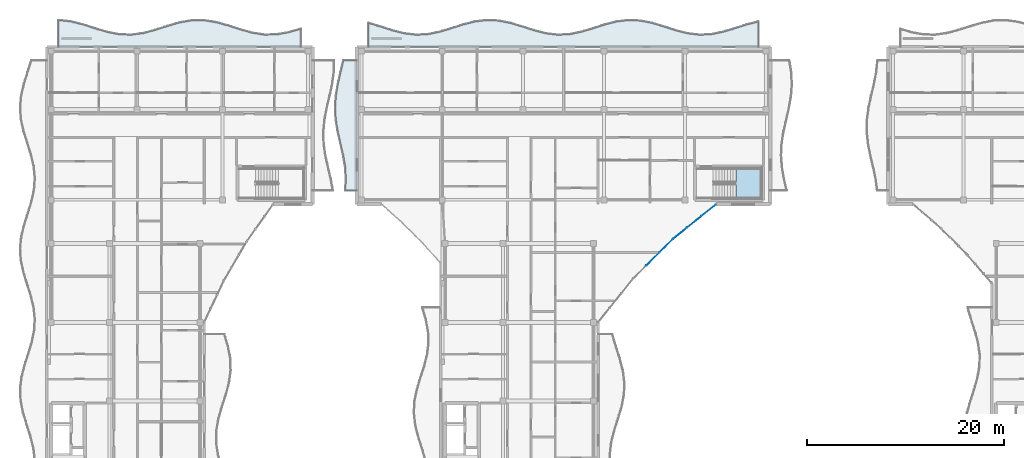
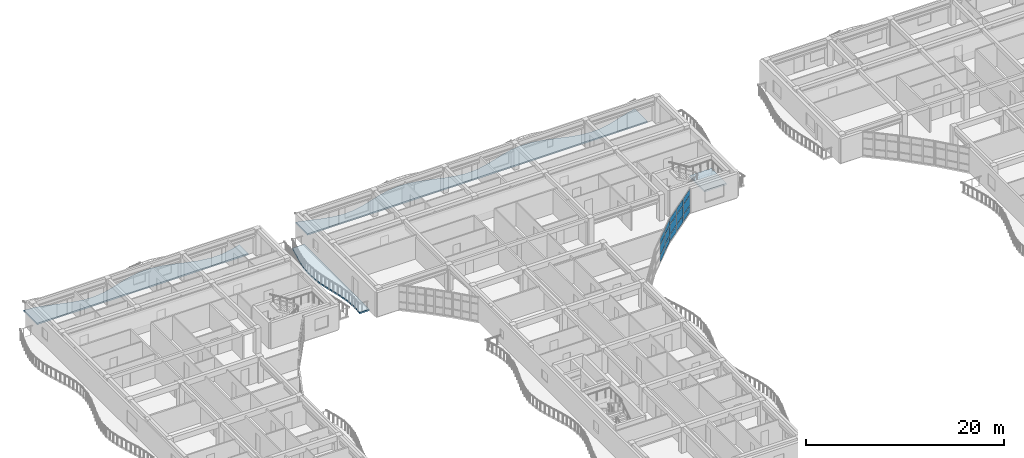
# One storey, part 32 of 79: 15 plates, 4 slabs, 3 elements without a shape of their own.
"""IFC4 building model written with IfcOpenShell, lengths in metres."""

from ifc_helpers import new_model, si_unit, direction, frame, origin, origin_2d, place, context, subcontext, project, spatial, polyline, rectangle, outline, extrude, material, layer, layer_set, type_object, element, aggregate, save


model = new_model("IFC4")

# Units and contexts
model_context = context("Model", 3, precision=1e-05, world=origin(), true_north=direction((0.0, 1.0)))
body_context = subcontext(model_context, "Body", "Model", "MODEL_VIEW")
ifc_project = project(units=[si_unit("LENGTHUNIT", "METRE"), si_unit("AREAUNIT", "SQUARE_METRE"), si_unit("VOLUMEUNIT", "CUBIC_METRE"), si_unit("PLANEANGLEUNIT", "RADIAN"), si_unit("MASSUNIT", "GRAM", prefix="KILO")], contexts=[model_context])

# Site, building, storey
site_placement = place(None, origin())
site = spatial("IfcSite", under=ifc_project, at=site_placement, CompositionType="ELEMENT")
building_placement = place(site_placement, origin())
building = spatial("IfcBuilding", under=site, at=building_placement, Name="Keldmere Railside Commons", CompositionType="ELEMENT")
storey_placement = place(building_placement, frame((0.0, 0.0, 10.56005859375)))
storey = spatial("IfcBuildingStorey", under=building, at=storey_placement, Name="L03", CompositionType="ELEMENT", Elevation=10.56005859375)

# Curtain wall, plates
ifc_material_1 = material(Name="Thermally Broken Aluminium", Category="aluminium")
ifc_layer_1 = layer(ifc_material_1, 0.159912109375, Name="Court Chord Wintergarden CW 5400x2850")
ifc_layer_set_1 = layer_set([ifc_layer_1], Name="Thermally Broken Aluminium")
curtain_wall_type_1 = type_object("IfcCurtainWallType", Name="Court Chord Wintergarden CW 5400x2850", PredefinedType="NOTDEFINED", material=ifc_layer_set_1)
curtain_wall_1_placement = place(storey_placement, origin())
curtain_wall_1 = element("IfcCurtainWall", 1, at=curtain_wall_1_placement, inside=storey, type_object=curtain_wall_type_1, Name="CW-13 CW-L03-044", PredefinedType="NOTDEFINED")
ifc_material_2 = material(Name="Low-E Insulated Double Glazing", Category="glass")
ifc_layer_2 = layer(ifc_material_2, 0.031982421875, Name="Clerestory Solar-Control Vision Panel 32")
ifc_layer_set_2 = layer_set([ifc_layer_2], Name="Low-E Insulated Double Glazing")
plate_type_1 = type_object("IfcPlateType", Name="Clerestory Solar-Control Vision Panel 32", PredefinedType="CURTAIN_PANEL", material=ifc_layer_set_2)
plate_1_placement = place(storey_placement, frame((70.88916015625, 95.76513671875, 0.06494140625), z_axis=(0.0, 0.0, 1.0), x_axis=(-0.707106781187, -0.707106781187, 0.0)))
plate_1 = element("IfcPlate", 2, at=plate_1_placement, type_object=plate_type_1, Name="CW-13 panel 1.1", PredefinedType="CURTAIN_PANEL", context=body_context, shape_type="SweptSolid", body=[
    extrude(rectangle(XDim=1.795654296875, YDim=0.031982421875, at=origin_2d()), origin(), (0.0, 0.0, 1.0), 0.802490234375),
])
plate_2_placement = place(storey_placement, frame((70.88916015625, 95.76513671875, 0.932373046875), z_axis=(0.0, 0.0, 1.0), x_axis=(-0.707106781187, -0.707106781187, 0.0)))
plate_2 = element("IfcPlate", 3, at=plate_2_placement, type_object=plate_type_1, Name="CW-13 panel 1.2", PredefinedType="CURTAIN_PANEL", context=body_context, shape_type="SweptSolid", body=[
    extrude(rectangle(XDim=1.795654296875, YDim=0.031982421875, at=origin_2d()), origin(), (0.0, 0.0, 1.0), 1.18505859375),
])
plate_3_placement = place(storey_placement, frame((70.88916015625, 95.76513671875, 2.182373046875), z_axis=(0.0, 0.0, 1.0), x_axis=(-0.707106781187, -0.707106781187, 0.0)))
plate_3 = element("IfcPlate", 4, at=plate_3_placement, type_object=plate_type_1, Name="CW-13 panel 1.3", PredefinedType="CURTAIN_PANEL", context=body_context, shape_type="SweptSolid", body=[
    extrude(rectangle(XDim=1.795654296875, YDim=0.031982421875, at=origin_2d()), origin(), (0.0, 0.0, 1.0), 0.732421875),
])
plate_4_placement = place(storey_placement, frame((69.56201171875, 94.43798828125, 0.06494140625), z_axis=(0.0, 0.0, 1.0), x_axis=(-0.707106781187, -0.707106781187, 0.0)))
plate_4 = element("IfcPlate", 5, at=plate_4_placement, type_object=plate_type_1, Name="CW-13 panel 2.1", PredefinedType="CURTAIN_PANEL", context=body_context, shape_type="SweptSolid", body=[
    extrude(rectangle(XDim=1.828125, YDim=0.031982421875, at=origin_2d()), origin(), (0.0, 0.0, 1.0), 0.802490234375),
])
plate_5_placement = place(storey_placement, frame((69.56201171875, 94.43798828125, 0.932373046875), z_axis=(0.0, 0.0, 1.0), x_axis=(-0.707106781187, -0.707106781187, 0.0)))
plate_5 = element("IfcPlate", 6, at=plate_5_placement, type_object=plate_type_1, Name="CW-13 panel 2.2", PredefinedType="CURTAIN_PANEL", context=body_context, shape_type="SweptSolid", body=[
    extrude(rectangle(XDim=1.828125, YDim=0.031982421875, at=origin_2d()), origin(), (0.0, 0.0, 1.0), 1.18505859375),
])
plate_6_placement = place(storey_placement, frame((69.56201171875, 94.43798828125, 2.182373046875), z_axis=(0.0, 0.0, 1.0), x_axis=(-0.707106781187, -0.707106781187, 0.0)))
plate_6 = element("IfcPlate", 7, at=plate_6_placement, type_object=plate_type_1, Name="CW-13 panel 2.3", PredefinedType="CURTAIN_PANEL", context=body_context, shape_type="SweptSolid", body=[
    extrude(rectangle(XDim=1.828125, YDim=0.031982421875, at=origin_2d()), origin(), (0.0, 0.0, 1.0), 0.732421875),
])
aggregate(curtain_wall_1, [plate_1, plate_2, plate_3, plate_4, plate_5, plate_6])

# Stair, slab
ifc_material_3 = material(Name="Concrete H-30 (C30/37)", Category="concrete")
stair_type = type_object("IfcStairType", Name="Residential Core Dogleg Stair 1450", PredefinedType="HALF_TURN_STAIR", material=ifc_material_3)
stair_placement = place(storey_placement, origin())
stair = element("IfcStair", 8, at=stair_placement, inside=storey, type_object=stair_type, Name="L03 Block C Secondary Escape Stair 2", PredefinedType="HALF_TURN_STAIR")
ifc_layer_3 = layer(ifc_material_3, 0.199951171875, Name="Enclosed Stair Landing Slab 200")
ifc_layer_set_3 = layer_set([ifc_layer_3], Name="Concrete H-30 (C30/37)")
slab_type_1 = type_object("IfcSlabType", Name="Enclosed Stair Landing Slab 200", PredefinedType="LANDING", material=ifc_layer_set_3)
slab_1_placement = place(storey_placement, frame((0.0, 0.0, 1.39990234375)))
slab_1 = element("IfcSlab", 9, at=slab_1_placement, type_object=slab_type_1, Name="ST-C2 landing 1", PredefinedType="LANDING", context=body_context, shape_type="SweptSolid", body=[
    extrude(outline(polyline([(78.02001953125, 100.60009765625), (80.60009765625, 100.60009765625), (80.60009765625, 103.64990234375), (78.02001953125, 103.64990234375), (78.02001953125, 100.60009765625)])), origin(), (0.0, 0.0, 1.0), 0.199951171875),
])
aggregate(stair, [slab_1])

# Curtain wall, plates
ifc_layer_4 = layer(ifc_material_1, 0.159912109375, Name="Court Chord Wintergarden CW 4800x2850")
ifc_layer_set_4 = layer_set([ifc_layer_4], Name="Thermally Broken Aluminium")
curtain_wall_type_2 = type_object("IfcCurtainWallType", Name="Court Chord Wintergarden CW 4800x2850", PredefinedType="NOTDEFINED", material=ifc_layer_set_4)
curtain_wall_2_placement = place(storey_placement, origin())
curtain_wall_2 = element("IfcCurtainWall", 10, at=curtain_wall_2_placement, inside=storey, type_object=curtain_wall_type_2, Name="CW-12 CW-L03-045", PredefinedType="NOTDEFINED")
ifc_layer_5 = layer(ifc_material_2, 0.028076171875, Name="Low-E Vision Glazing Panel 28")
ifc_layer_set_5 = layer_set([ifc_layer_5], Name="Low-E Insulated Double Glazing")
plate_type_2 = type_object("IfcPlateType", Name="Low-E Vision Glazing Panel 28", PredefinedType="CURTAIN_PANEL", material=ifc_layer_set_5)
plate_7_placement = place(storey_placement, frame((75.2490234375, 99.3974609375, 0.06494140625), z_axis=(0.0, 0.0, 1.0), x_axis=(-0.780009172323, -0.625768080915, 0.0)))
plate_7 = element("IfcPlate", 11, at=plate_7_placement, type_object=plate_type_2, Name="CW-12 panel 1.1", PredefinedType="CURTAIN_PANEL", context=body_context, shape_type="SweptSolid", body=[
    extrude(rectangle(XDim=1.795654296875, YDim=0.028076171875, at=origin_2d()), origin(), (0.0, 0.0, 1.0), 0.802490234375),
])
plate_8_placement = place(storey_placement, frame((75.2490234375, 99.3974609375, 0.932373046875), z_axis=(0.0, 0.0, 1.0), x_axis=(-0.780009172323, -0.625768080915, 0.0)))
plate_8 = element("IfcPlate", 12, at=plate_8_placement, type_object=plate_type_2, Name="CW-12 panel 1.2", PredefinedType="CURTAIN_PANEL", context=body_context, shape_type="SweptSolid", body=[
    extrude(rectangle(XDim=1.795654296875, YDim=0.028076171875, at=origin_2d()), origin(), (0.0, 0.0, 1.0), 1.18505859375),
])
plate_9_placement = place(storey_placement, frame((75.2490234375, 99.3974609375, 2.182373046875), z_axis=(0.0, 0.0, 1.0), x_axis=(-0.780009172323, -0.625768080915, 0.0)))
plate_9 = element("IfcPlate", 13, at=plate_9_placement, type_object=plate_type_2, Name="CW-12 panel 1.3", PredefinedType="CURTAIN_PANEL", context=body_context, shape_type="SweptSolid", body=[
    extrude(rectangle(XDim=1.795654296875, YDim=0.028076171875, at=origin_2d()), origin(), (0.0, 0.0, 1.0), 0.732421875),
])
plate_10_placement = place(storey_placement, frame((73.784912109375, 98.222900390625, 0.06494140625), z_axis=(0.0, 0.0, 1.0), x_axis=(-0.780009172323, -0.625768080915, 0.0)))
plate_10 = element("IfcPlate", 14, at=plate_10_placement, type_object=plate_type_2, Name="CW-12 panel 2.1", PredefinedType="CURTAIN_PANEL", context=body_context, shape_type="SweptSolid", body=[
    extrude(rectangle(XDim=1.828125, YDim=0.028076171875, at=origin_2d()), origin(), (0.0, 0.0, 1.0), 0.802490234375),
])
plate_11_placement = place(storey_placement, frame((73.784912109375, 98.222900390625, 0.932373046875), z_axis=(0.0, 0.0, 1.0), x_axis=(-0.780009172323, -0.625768080915, 0.0)))
plate_11 = element("IfcPlate", 15, at=plate_11_placement, type_object=plate_type_2, Name="CW-12 panel 2.2", PredefinedType="CURTAIN_PANEL", context=body_context, shape_type="SweptSolid", body=[
    extrude(rectangle(XDim=1.828125, YDim=0.028076171875, at=origin_2d()), origin(), (0.0, 0.0, 1.0), 1.18505859375),
])
plate_12_placement = place(storey_placement, frame((73.784912109375, 98.222900390625, 2.182373046875), z_axis=(0.0, 0.0, 1.0), x_axis=(-0.780009172323, -0.625768080915, 0.0)))
plate_12 = element("IfcPlate", 16, at=plate_12_placement, type_object=plate_type_2, Name="CW-12 panel 2.3", PredefinedType="CURTAIN_PANEL", context=body_context, shape_type="SweptSolid", body=[
    extrude(rectangle(XDim=1.828125, YDim=0.028076171875, at=origin_2d()), origin(), (0.0, 0.0, 1.0), 0.732421875),
])
plate_13_placement = place(storey_placement, frame((72.321044921875, 97.048583984375, 0.06494140625), z_axis=(0.0, 0.0, 1.0), x_axis=(-0.780009172323, -0.625768080915, 0.0)))
plate_13 = element("IfcPlate", 17, at=plate_13_placement, type_object=plate_type_2, Name="CW-12 panel 3.1", PredefinedType="CURTAIN_PANEL", context=body_context, shape_type="SweptSolid", body=[
    extrude(rectangle(XDim=1.795654296875, YDim=0.028076171875, at=origin_2d()), origin(), (0.0, 0.0, 1.0), 0.802490234375),
])
plate_14_placement = place(storey_placement, frame((72.321044921875, 97.048583984375, 0.932373046875), z_axis=(0.0, 0.0, 1.0), x_axis=(-0.780009172323, -0.625768080915, 0.0)))
plate_14 = element("IfcPlate", 18, at=plate_14_placement, type_object=plate_type_2, Name="CW-12 panel 3.2", PredefinedType="CURTAIN_PANEL", context=body_context, shape_type="SweptSolid", body=[
    extrude(rectangle(XDim=1.795654296875, YDim=0.028076171875, at=origin_2d()), origin(), (0.0, 0.0, 1.0), 1.18505859375),
])
plate_15_placement = place(storey_placement, frame((72.321044921875, 97.048583984375, 2.182373046875), z_axis=(0.0, 0.0, 1.0), x_axis=(-0.780009172323, -0.625768080915, 0.0)))
plate_15 = element("IfcPlate", 19, at=plate_15_placement, type_object=plate_type_2, Name="CW-12 panel 3.3", PredefinedType="CURTAIN_PANEL", context=body_context, shape_type="SweptSolid", body=[
    extrude(rectangle(XDim=1.795654296875, YDim=0.028076171875, at=origin_2d()), origin(), (0.0, 0.0, 1.0), 0.732421875),
])
aggregate(curtain_wall_2, [plate_7, plate_8, plate_9, plate_10, plate_11, plate_12, plate_13, plate_14, plate_15])

# Slabs
ifc_material_4 = material(Name="White Precast Concrete H-35 (C35/45)", Category="concrete")
ifc_layer_6 = layer(ifc_material_4, 0.179931640625, Name="Sinusoidal Wave Balcony Slab 180")
ifc_layer_set_6 = layer_set([ifc_layer_6], Name="White Precast Concrete H-35 (C35/45)")
slab_type_2 = type_object("IfcSlabType", Name="Sinusoidal Wave Balcony Slab 180", PredefinedType="FLOOR", material=ifc_layer_set_6)
slab_2_placement = place(storey_placement, frame((0.0, 0.0, -0.18017578125)))
element("IfcSlab", 20, at=slab_2_placement, inside=storey, type_object=slab_type_2, Name="WB-1 D L03 N Wave Balcony", PredefinedType="FLOOR", context=body_context, shape_type="SweptSolid", body=[
    extrude(outline(polyline([(9.199951171875, 116.0), (10.429931640625, 116.0), (11.659912109375, 116.0), (12.889892578125, 116.0), (14.1201171875, 116.0), (15.35009765625, 116.0), (16.580078125, 116.0), (17.81005859375, 116.0), (19.0400390625, 116.0), (20.27001953125, 116.0), (21.5, 116.0), (22.72998046875, 116.0), (23.9599609375, 116.0), (25.18994140625, 116.0), (26.419921875, 116.0), (27.64990234375, 116.0), (28.8798828125, 116.0), (30.110107421875, 116.0), (31.340087890625, 116.0), (32.570068359375, 116.0), (33.800048828125, 116.0), (33.800048828125, 117.813720703125), (32.570068359375, 117.455810546875), (31.340087890625, 117.23681640625), (30.110107421875, 117.218505859375), (28.8798828125, 117.405517578125), (27.64990234375, 117.745849609375), (26.419921875, 118.1435546875), (25.18994140625, 118.48681640625), (23.9599609375, 118.67919921875), (22.72998046875, 118.66650390625), (21.5, 118.4521484375), (20.27001953125, 118.0966796875), (19.0400390625, 117.7001953125), (17.81005859375, 117.373779296875), (16.580078125, 117.209228515625), (15.35009765625, 117.253173828125), (14.1201171875, 117.492919921875), (12.889892578125, 117.861328125), (11.659912109375, 118.254638671875), (10.429931640625, 118.562255859375), (9.199951171875, 118.697509765625), (9.199951171875, 116.0)])), origin(), (0.0, 0.0, 1.0), 0.18017578125),
])
slab_3_placement = place(storey_placement, frame((0.0, 0.0, -0.18017578125)))
element("IfcSlab", 21, at=slab_3_placement, inside=storey, type_object=slab_type_2, Name="WB-1 C L03 N Wave Balcony", PredefinedType="FLOOR", context=body_context, shape_type="SweptSolid", body=[
    extrude(outline(polyline([(40.699951171875, 116.0), (41.89990234375, 116.0), (43.10009765625, 116.0), (44.300048828125, 116.0), (45.5, 116.0), (46.699951171875, 116.0), (47.89990234375, 116.0), (49.10009765625, 116.0), (50.300048828125, 116.0), (51.5, 116.0), (52.699951171875, 116.0), (53.89990234375, 116.0), (55.10009765625, 116.0), (56.300048828125, 116.0), (57.5, 116.0), (58.699951171875, 116.0), (59.89990234375, 116.0), (61.10009765625, 116.0), (62.300048828125, 116.0), (63.5, 116.0), (64.699951171875, 116.0), (65.89990234375, 116.0), (67.10009765625, 116.0), (68.300048828125, 116.0), (69.5, 116.0), (70.699951171875, 116.0), (71.89990234375, 116.0), (73.10009765625, 116.0), (74.300048828125, 116.0), (75.5, 116.0), (76.699951171875, 116.0), (77.89990234375, 116.0), (79.10009765625, 116.0), (80.300048828125, 116.0), (80.300048828125, 118.55078125), (79.10009765625, 118.245849609375), (77.89990234375, 117.86181640625), (76.699951171875, 117.501220703125), (75.5, 117.260986328125), (74.300048828125, 117.205078125), (73.10009765625, 117.34912109375), (71.89990234375, 117.654052734375), (70.699951171875, 118.038330078125), (69.5, 118.39892578125), (68.300048828125, 118.63916015625), (67.10009765625, 118.69482421875), (65.89990234375, 118.55078125), (64.699951171875, 118.245849609375), (63.5, 117.86181640625), (62.300048828125, 117.501220703125), (61.10009765625, 117.260986328125), (59.89990234375, 117.205078125), (58.699951171875, 117.34912109375), (57.5, 117.654052734375), (56.300048828125, 118.038330078125), (55.10009765625, 118.39892578125), (53.89990234375, 118.63916015625), (52.699951171875, 118.69482421875), (51.5, 118.55078125), (50.300048828125, 118.245849609375), (49.10009765625, 117.86181640625), (47.89990234375, 117.501220703125), (46.699951171875, 117.260986328125), (45.5, 117.205078125), (44.300048828125, 117.34912109375), (43.10009765625, 117.654052734375), (41.89990234375, 118.038330078125), (40.699951171875, 118.39892578125), (40.699951171875, 116.0)])), origin(), (0.0, 0.0, 1.0), 0.18017578125),
])
slab_4_placement = place(storey_placement, frame((0.0, 0.0, -0.18017578125)))
element("IfcSlab", 22, at=slab_4_placement, inside=storey, type_object=slab_type_2, Name="WB-1 C L03 WW Wave Balcony", PredefinedType="FLOOR", context=body_context, shape_type="SweptSolid", body=[
    extrude(outline(polyline([(39.5, 101.39990234375), (39.5, 102.60009765625), (39.5, 103.800048828125), (39.5, 105.0), (39.5, 106.199951171875), (39.5, 107.39990234375), (39.5, 108.60009765625), (39.5, 109.800048828125), (39.5, 111.0), (39.5, 112.199951171875), (39.5, 113.39990234375), (39.5, 114.60009765625), (38.13037109375, 114.60009765625), (37.856201171875, 113.39990234375), (37.580322265625, 112.199951171875), (37.376708984375, 111.0), (37.300048828125, 109.800048828125), (37.37060546875, 108.60009765625), (37.569580078125, 107.39990234375), (37.84375, 106.199951171875), (38.11962890625, 105.0), (38.3232421875, 103.800048828125), (38.39990234375, 102.60009765625), (38.329345703125, 101.39990234375), (39.5, 101.39990234375)])), origin(), (0.0, 0.0, 1.0), 0.18017578125),
])

save(model, "model.ifc")
